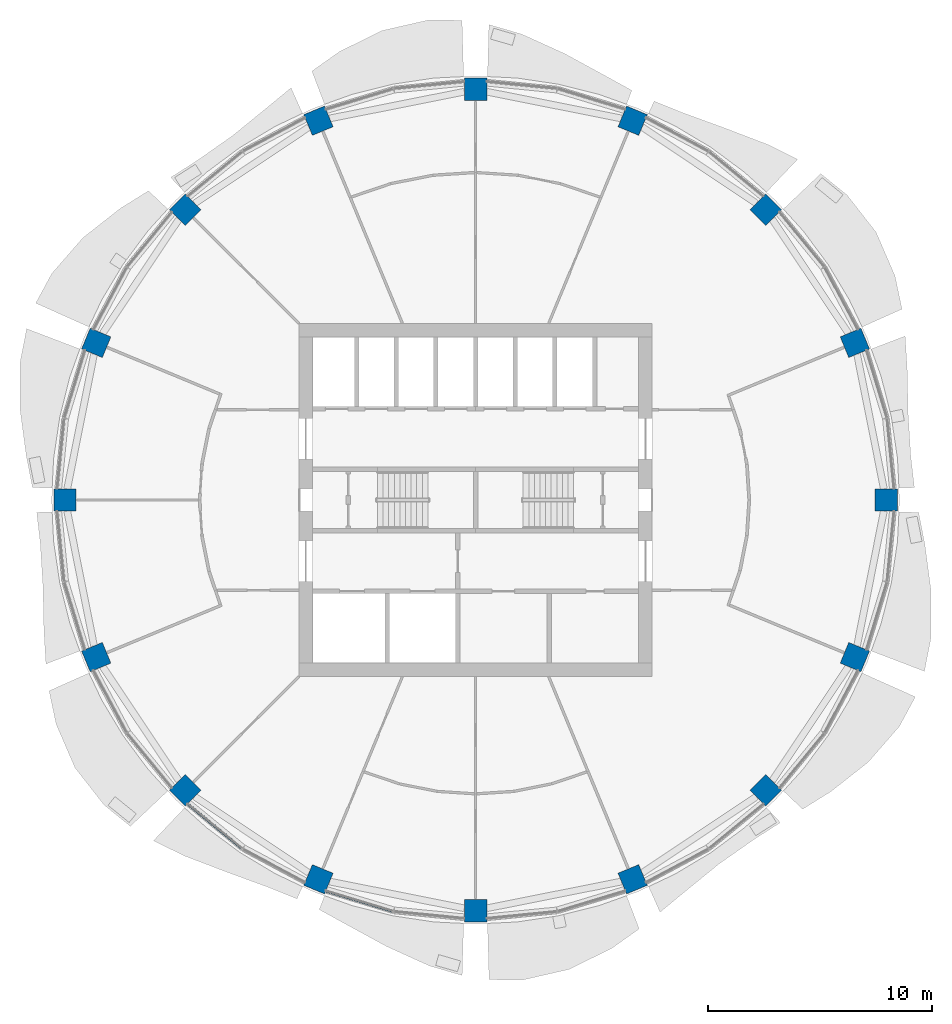
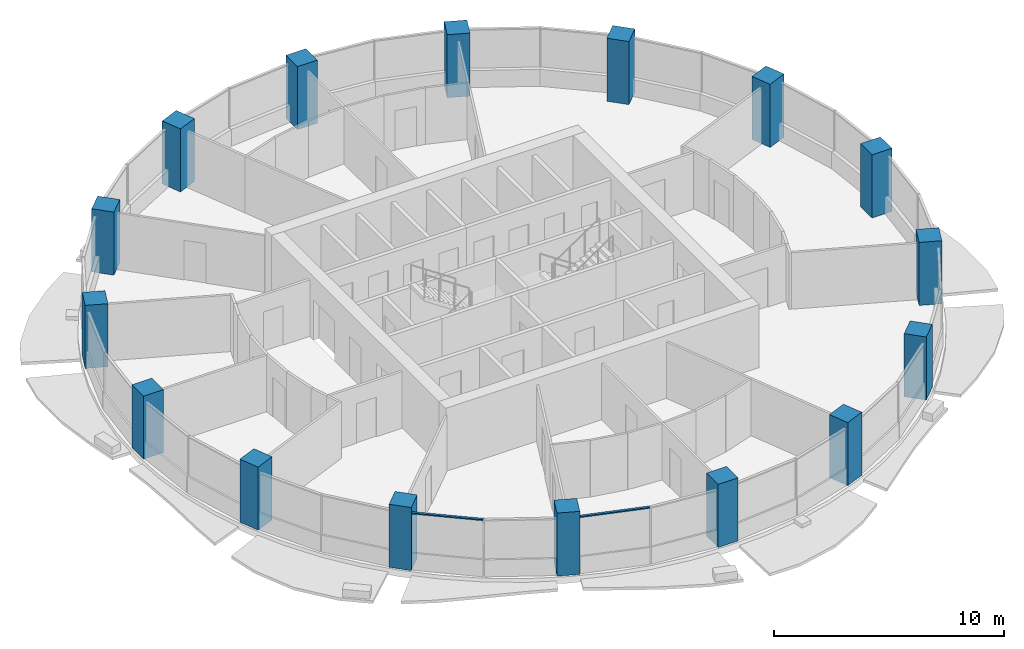
# One storey, part 1 of 14: 16 columns, 2 members, 2 elements without a shape of their own.
"""IFC4 building model written with IfcOpenShell, lengths in metres."""

from ifc_helpers import new_model, si_unit, direction, frame, origin, origin_2d, place, context, subcontext, project, spatial, rectangle, extrude, material, material_profile, profile_set, type_object, element, aggregate, save


model = new_model("IFC4")

# Units and contexts
model_context = context("Model", 3, precision=1e-05, world=origin(), true_north=direction((0.0, 1.0)))
body_context = subcontext(model_context, "Body", "Model", "MODEL_VIEW")
ifc_project = project(units=[si_unit("LENGTHUNIT", "METRE"), si_unit("AREAUNIT", "SQUARE_METRE"), si_unit("VOLUMEUNIT", "CUBIC_METRE"), si_unit("PLANEANGLEUNIT", "RADIAN"), si_unit("MASSUNIT", "GRAM", prefix="KILO")], contexts=[model_context])

# Site, building, storey
site_placement = place(None, origin())
site = spatial("IfcSite", under=ifc_project, at=site_placement, CompositionType="ELEMENT")
building_placement = place(site_placement, origin())
building = spatial("IfcBuilding", under=site, at=building_placement, Name="Polderwave Tower", CompositionType="ELEMENT")
storey_placement = place(building_placement, frame((0.0, 0.0, 141.050048828125)))
storey = spatial("IfcBuildingStorey", under=building, at=storey_placement, Name="L37", CompositionType="ELEMENT", Elevation=141.050048828125)

# Columns
ifc_material_1 = material(Name="Concrete C60/75", Category="concrete")
ifc_material_profile_1 = material_profile(ifc_material_1, rectangle(XDim=1.0, YDim=1.0, at=origin_2d()), Name="RC 1000x1000")
ifc_profile_set_1 = profile_set([ifc_material_profile_1], Name="Concrete C60/75")
column_type = type_object("IfcColumnType", Name="RC COLUMN 1000x1000 C60/75", PredefinedType="COLUMN", material=ifc_profile_set_1)
for number, where, z_axis, x_axis, name in (
    (1, (18.300048828125, 0.0, 0.0), (0.0, 0.0, 1.0), (1.0, 0.0, 0.0), "Ring column 01"),
    (2, (16.906982421875, 7.003173828125, 0.0), (0.0, 0.0, 1.0), (0.923879532511, 0.382683432365, 0.0), "Ring column 02"),
    (3, (12.93994140625, 12.93994140625, 0.0), (0.0, 0.0, 1.0), (0.707106781187, 0.707106781187, 0.0), "Ring column 03"),
    (4, (7.003173828125, 16.906982421875, 0.0), (0.0, 0.0, 1.0), (0.382683432365, 0.923879532511, 0.0), "Ring column 04"),
    (5, (0.0, 18.300048828125, 0.0), (0.0, 0.0, 1.0), (0.0, 1.0, 0.0), "Ring column 05"),
    (6, (-7.003173828125, 16.906982421875, 0.0), (0.0, 0.0, 1.0), (-0.382683432365, 0.923879532511, 0.0), "Ring column 06"),
    (7, (-12.93994140625, 12.93994140625, 0.0), (0.0, 0.0, 1.0), (-0.707106781187, 0.707106781187, 0.0), "Ring column 07"),
    (8, (-16.906982421875, 7.003173828125, 0.0), (0.0, 0.0, 1.0), (-0.923879532511, 0.382683432365, 0.0), "Ring column 08"),
    (9, (-18.300048828125, 0.0, 0.0), (0.0, 0.0, 1.0), (-1.0, 0.0, 0.0), "Ring column 09"),
    (10, (-16.906982421875, -7.003173828125, 0.0), (0.0, 0.0, 1.0), (-0.923879532511, -0.382683432365, 0.0), "Ring column 10"),
    (11, (-12.93994140625, -12.93994140625, 0.0), (0.0, 0.0, 1.0), (-0.707106781187, -0.707106781187, 0.0), "Ring column 11"),
    (12, (-7.003173828125, -16.906982421875, 0.0), (0.0, 0.0, 1.0), (-0.382683432365, -0.923879532511, 0.0), "Ring column 12"),
    (13, (0.0, -18.300048828125, 0.0), (0.0, 0.0, 1.0), (0.0, -1.0, 0.0), "Ring column 13"),
    (14, (7.003173828125, -16.906982421875, 0.0), (0.0, 0.0, 1.0), (0.382683432365, -0.923879532511, 0.0), "Ring column 14"),
    (15, (12.93994140625, -12.93994140625, 0.0), (0.0, 0.0, 1.0), (0.707106781187, -0.707106781187, 0.0), "Ring column 15"),
    (16, (16.906982421875, -7.003173828125, 0.0), (0.0, 0.0, 1.0), (0.923879532511, -0.382683432365, 0.0), "Ring column 16"),
):
    element("IfcColumn", number, at=place(storey_placement, frame(where, z_axis=z_axis, x_axis=x_axis)), inside=storey, type_object=column_type, Name=name, PredefinedType="COLUMN", context=body_context, shape_type="SweptSolid", body=[
        extrude(rectangle(XDim=1.0, YDim=1.0, at=origin_2d()), origin(), (0.0, 0.0, 1.0), 3.349853515625),
    ])

# Curtain wall, member
ifc_material_2 = material(Name="Aluminium 6063-T6 and glass", Category="aluminium")
curtain_wall_type = type_object("IfcCurtainWallType", Name="Office ribbon glazing wall", PredefinedType="NOTDEFINED", material=ifc_material_2)
curtain_wall_1_placement = place(storey_placement, origin())
curtain_wall_1 = element("IfcCurtainWall", 17, at=curtain_wall_1_placement, inside=storey, type_object=curtain_wall_type, Name="CW3 L37 10", PredefinedType="NOTDEFINED")
ifc_material_3 = material(Name="Aluminium 6063-T6", Category="aluminium")
ifc_material_profile_2 = material_profile(ifc_material_3, rectangle(XDim=0.1201171875, YDim=0.06005859375, at=origin_2d()), Name="AL 60x120")
ifc_profile_set_2 = profile_set([ifc_material_profile_2], Name="Aluminium 6063-T6")
member_type = type_object("IfcMemberType", Name="Office ribbon glazing transom 60x120", PredefinedType="USERDEFINED", material=ifc_profile_set_2)
member_1_placement = place(storey_placement, frame((-12.8349609375, -13.5419921875, 2.969970703125), z_axis=(0.773207470816, -0.634153141657, 0.0), x_axis=(0.634153141657, 0.773207470816, 0.0)))
member_1 = element("IfcMember", 18, at=member_1_placement, type_object=member_type, Name="CW3 transom 1", ObjectType="TRANSOM", PredefinedType="USERDEFINED", context=body_context, shape_type="SweptSolid", body=[
    extrude(rectangle(XDim=0.1201171875, YDim=0.06005859375, at=origin_2d()), origin(), (0.0, 0.0, 1.0), 3.1357421875),
])
aggregate(curtain_wall_1, [member_1])

curtain_wall_2_placement = place(storey_placement, origin())
curtain_wall_2 = element("IfcCurtainWall", 19, at=curtain_wall_2_placement, inside=storey, type_object=curtain_wall_type, Name="CW3 L37 11", PredefinedType="NOTDEFINED")
member_2_placement = place(storey_placement, frame((-6.675048828125, -17.422119140625, 2.969970703125), z_axis=(0.956884827172, -0.290467601512, 0.0), x_axis=(0.290467601512, 0.956884827172, 0.0)))
member_2 = element("IfcMember", 20, at=member_2_placement, type_object=member_type, Name="CW3 transom 1", ObjectType="TRANSOM", PredefinedType="USERDEFINED", context=body_context, shape_type="SweptSolid", body=[
    extrude(rectangle(XDim=0.1201171875, YDim=0.06005859375, at=origin_2d()), origin(), (0.0, 0.0, 1.0), 3.135986328125),
])
aggregate(curtain_wall_2, [member_2])

save(model, "model.ifc")
